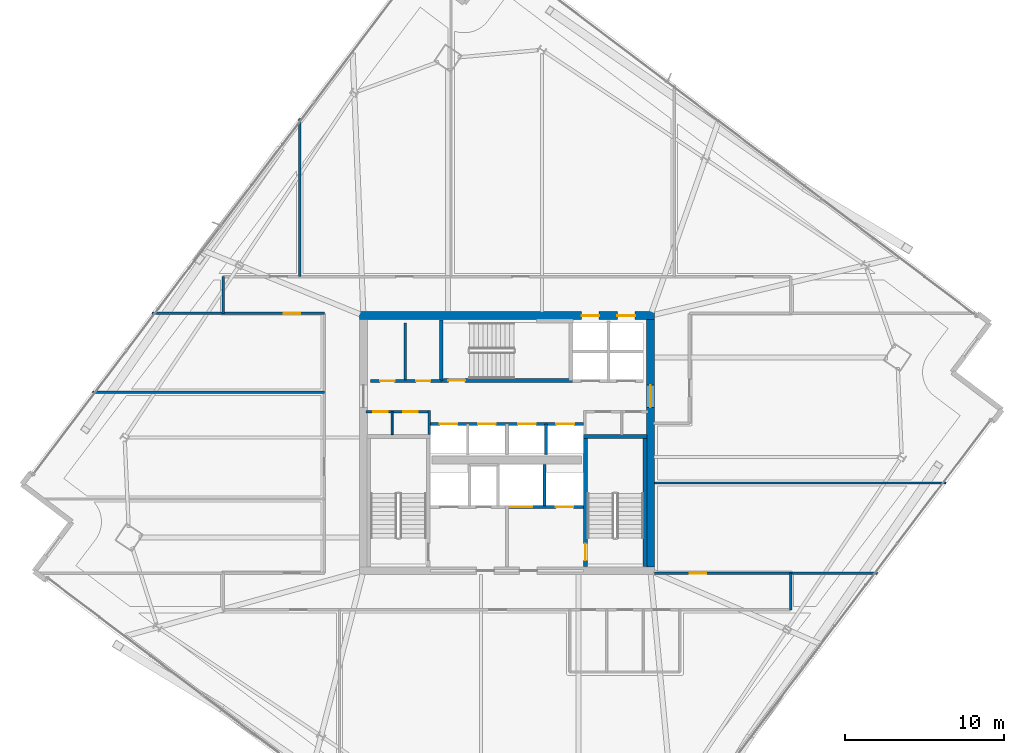
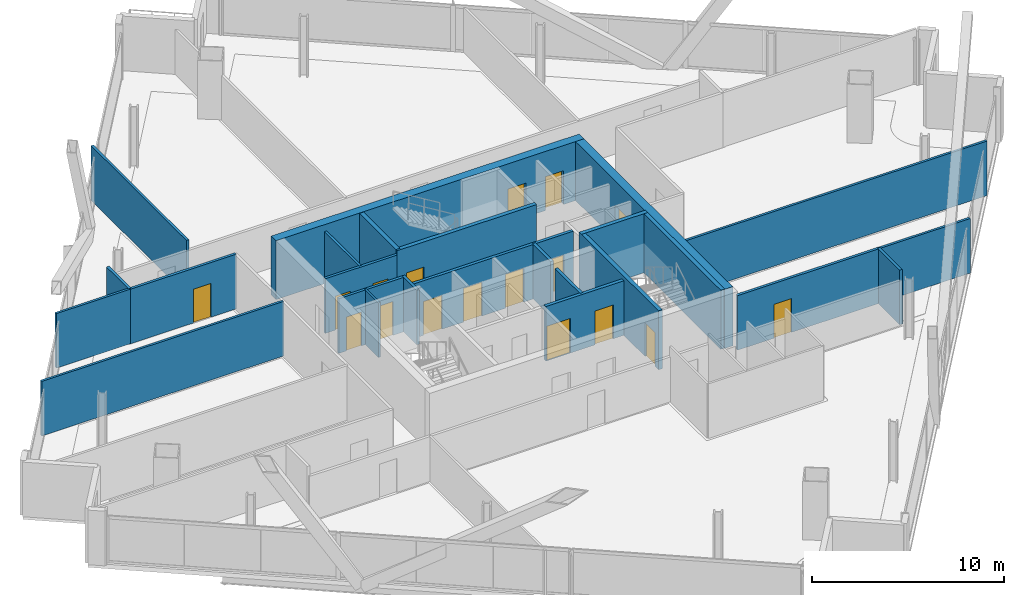
# One storey, part 27 of 34: 25 walls, 17 doors, 17 openings.
"""IFC4 building model written with IfcOpenShell, lengths in metres."""

from ifc_helpers import new_model, si_unit, direction, frame, frame_2d, origin, place, context, subcontext, project, spatial, rectangle, extrude, material, layer, layer_set, type_object, element, fill, save


model = new_model("IFC4")

# Units and contexts
model_context = context("Model", 3, precision=1e-05, world=origin(), true_north=direction((0.0, 1.0)))
body_context = subcontext(model_context, "Body", "Model", "MODEL_VIEW")
ifc_project = project(units=[si_unit("LENGTHUNIT", "METRE"), si_unit("AREAUNIT", "SQUARE_METRE"), si_unit("VOLUMEUNIT", "CUBIC_METRE"), si_unit("PLANEANGLEUNIT", "RADIAN"), si_unit("MASSUNIT", "GRAM", prefix="KILO")], contexts=[model_context])

# Site, building, storey
site_placement = place(None, origin())
site = spatial("IfcSite", under=ifc_project, at=site_placement, CompositionType="ELEMENT")
building_placement = place(site_placement, origin())
building = spatial("IfcBuilding", under=site, at=building_placement, Name="Haldenkirk Collegiate Tower", CompositionType="ELEMENT")
storey_placement = place(building_placement, frame((0.0, 0.0, 205.949951171875)))
storey = spatial("IfcBuildingStorey", under=building, at=storey_placement, Name="L51", CompositionType="ELEMENT", Elevation=205.949951171875)

# Wall, openings, doors
ifc_material_1 = material(Name="Concrete f'c 55 MPa", Category="concrete")
ifc_layer_1 = layer(ifc_material_1, 0.5)
ifc_layer_set_1 = layer_set([ifc_layer_1], Name="Concrete f'c 55 MPa")
wall_type_1 = type_object("IfcWallType", Name="WL-CORE-500", PredefinedType="SHEAR", material=ifc_layer_set_1)
wall_1_placement = place(storey_placement, frame((26.75, 34.0, 0.0), z_axis=(0.0, 0.0, 1.0), x_axis=(1.0, 0.0, 0.0)))
wall_1 = element("IfcWall", 1, at=wall_1_placement, inside=storey, type_object=wall_type_1, Name="L51 central core shear wall N", PredefinedType="SHEAR", context=body_context, shape_type="SweptSolid", body=[
    extrude(rectangle(XDim=18.5, YDim=0.5, at=frame_2d((9.25, 0.0))), origin(), (0.0, 0.0, 1.0), 3.75),
])
opening_1_placement = place(wall_1_placement, frame((13.93505859375, 0.0, 0.0)))
opening_1 = element("IfcOpeningElement", 2, at=opening_1_placement, cuts=wall_1, Name="Opening LD-11", PredefinedType="OPENING", context=body_context, shape_type="SweptSolid", body=[
    extrude(rectangle(XDim=1.10009765625, YDim=2.14990234375, at=frame_2d((0.550048828125, 1.074951171875))), frame((0.0, 0.260009765625, 0.0), z_axis=(0.0, -1.0, 0.0), x_axis=(1.0, 0.0, 0.0)), (0.0, 0.0, 1.0), 0.52001953125),
])
opening_2_placement = place(wall_1_placement, frame((16.18505859375, 0.0, 0.0)))
opening_2 = element("IfcOpeningElement", 3, at=opening_2_placement, cuts=wall_1, Name="Opening LD-11", PredefinedType="OPENING", context=body_context, shape_type="SweptSolid", body=[
    extrude(rectangle(XDim=1.10009765625, YDim=2.14990234375, at=frame_2d((0.550048828125, 1.074951171875))), frame((0.0, 0.260009765625, 0.0), z_axis=(0.0, -1.0, 0.0), x_axis=(1.0, 0.0, 0.0)), (0.0, 0.0, 1.0), 0.52001953125),
])
ifc_material_2 = material(Name="Brushed architectural stainless steel", Category="steel")
ifc_layer_2 = layer(ifc_material_2, 0.06005859375)
ifc_layer_set_2 = layer_set([ifc_layer_2], Name="Brushed architectural stainless steel")
door_type_1 = type_object("IfcDoorType", Name="LD-PASS-1100", OperationType="NOTDEFINED", PredefinedType="DOOR", material=ifc_layer_set_2)
door_1_placement = place(opening_1_placement, origin())
door_1 = element("IfcDoor", 4, at=door_1_placement, inside=storey, type_object=door_type_1, Name="L51 Elevator PM3 sliding landing door", OperationType="SLIDING_TO_LEFT", OverallHeight=2.14990234375, OverallWidth=1.10009765625, PredefinedType="DOOR", context=body_context, shape_type="SweptSolid", body=[
    extrude(rectangle(XDim=1.10009765625, YDim=2.14990234375, at=frame_2d((0.550048828125, 1.074951171875))), frame((0.0, 0.02490234375, 0.0), z_axis=(0.0, -1.0, 0.0), x_axis=(1.0, 0.0, 0.0)), (0.0, 0.0, 1.0), 0.050048828125),
])
fill(opening_1, door_1)
door_2_placement = place(opening_2_placement, origin())
door_2 = element("IfcDoor", 5, at=door_2_placement, inside=storey, type_object=door_type_1, Name="L51 Elevator PM4 sliding landing door", OperationType="SLIDING_TO_LEFT", OverallHeight=2.14990234375, OverallWidth=1.10009765625, PredefinedType="DOOR", context=body_context, shape_type="SweptSolid", body=[
    extrude(rectangle(XDim=1.10009765625, YDim=2.14990234375, at=frame_2d((0.550048828125, 1.074951171875))), frame((0.0, 0.02490234375, 0.0), z_axis=(0.0, -1.0, 0.0), x_axis=(1.0, 0.0, 0.0)), (0.0, 0.0, 1.0), 0.050048828125),
])
fill(opening_2, door_2)

# Wall, opening, door
wall_2_placement = place(storey_placement, frame((45.0, 18.25, 0.0), z_axis=(0.0, 0.0, 1.0), x_axis=(0.0, 1.0, 0.0)))
wall_2 = element("IfcWall", 6, at=wall_2_placement, inside=storey, type_object=wall_type_1, Name="L51 central core shear wall E", PredefinedType="SHEAR", context=body_context, shape_type="SweptSolid", body=[
    extrude(rectangle(XDim=15.5, YDim=0.5, at=frame_2d((7.75, 0.0))), origin(), (0.0, 0.0, 1.0), 3.75),
])
opening_3_placement = place(wall_2_placement, frame((9.989990234375, 0.0, 0.0)))
opening_3 = element("IfcOpeningElement", 7, at=opening_3_placement, cuts=wall_2, Name="Opening D-03", PredefinedType="OPENING", context=body_context, shape_type="SweptSolid", body=[
    extrude(rectangle(XDim=1.39990234375, YDim=2.199951171875, at=frame_2d((0.699951171875, 1.10009765625))), frame((0.0, 0.260009765625, 0.0), z_axis=(0.0, -1.0, 0.0), x_axis=(1.0, 0.0, 0.0)), (0.0, 0.0, 1.0), 0.52001953125),
])
ifc_material_3 = material(Name="Galvanized fire-rated hollow steel door", Category="steel")
ifc_layer_3 = layer(ifc_material_3, 0.06005859375)
ifc_layer_set_3 = layer_set([ifc_layer_3], Name="Galvanized fire-rated hollow steel door")
door_type_2 = type_object("IfcDoorType", Name="DR-LOBBY-FD90-1400", OperationType="NOTDEFINED", PredefinedType="DOOR", material=ifc_layer_set_3)
door_3_placement = place(opening_3_placement, origin())
door_3 = element("IfcDoor", 8, at=door_3_placement, inside=storey, type_object=door_type_2, Name="L51 east lift lobby portal", OperationType="DOUBLE_DOOR_SINGLE_SWING", OverallHeight=2.199951171875, OverallWidth=1.39990234375, PredefinedType="DOOR", context=body_context, shape_type="SweptSolid", body=[
    extrude(rectangle(XDim=1.39990234375, YDim=2.199951171875, at=frame_2d((0.699951171875, 1.10009765625))), frame((0.0, 0.02490234375, 0.0), z_axis=(0.0, -1.0, 0.0), x_axis=(1.0, 0.0, 0.0)), (0.0, 0.0, 1.0), 0.050048828125),
])
fill(opening_3, door_3)

# Wall, openings, doors
ifc_material_4 = material(Name="Acoustic fire-rated gypsum partition", Category="concrete")
ifc_layer_4 = layer(ifc_material_4, 0.159912109375)
ifc_layer_set_4 = layer_set([ifc_layer_4], Name="Acoustic fire-rated gypsum partition")
wall_type_2 = type_object("IfcWallType", Name="WL-INT-CORR-160", PredefinedType="PARTITIONING", material=ifc_layer_set_4)
wall_3_placement = place(storey_placement, frame((27.14990234375, 27.97998046875, 0.0), z_axis=(0.0, 0.0, 1.0), x_axis=(1.0, 0.0, 0.0)))
wall_3 = element("IfcWall", 9, at=wall_3_placement, inside=storey, type_object=wall_type_2, Name="L51 interior partition IW-L51-VCSW-N", PredefinedType="PARTITIONING", context=body_context, shape_type="SweptSolid", body=[
    extrude(rectangle(XDim=4.050048828125, YDim=0.159912109375, at=frame_2d((2.02490234375, 0.0))), origin(), (0.0, 0.0, 1.0), 3.469970703125),
])
opening_4_placement = place(wall_3_placement, frame((0.469970703125, 0.0, 0.0)))
opening_4 = element("IfcOpeningElement", 10, at=opening_4_placement, cuts=wall_3, Name="Opening D-11", PredefinedType="OPENING", context=body_context, shape_type="SweptSolid", body=[
    extrude(rectangle(XDim=0.89990234375, YDim=2.14990234375, at=frame_2d((0.449951171875, 1.074951171875))), frame((0.0, 0.08984375, 0.0), z_axis=(0.0, -1.0, 0.0), x_axis=(1.0, 0.0, 0.0)), (0.0, 0.0, 1.0), 0.179931640625),
])
opening_5_placement = place(wall_3_placement, frame((2.360107421875, 0.0, 0.0)))
opening_5 = element("IfcOpeningElement", 11, at=opening_5_placement, cuts=wall_3, Name="Opening D-11", PredefinedType="OPENING", context=body_context, shape_type="SweptSolid", body=[
    extrude(rectangle(XDim=0.89990234375, YDim=2.14990234375, at=frame_2d((0.449951171875, 1.074951171875))), frame((0.0, 0.08984375, 0.0), z_axis=(0.0, -1.0, 0.0), x_axis=(1.0, 0.0, 0.0)), (0.0, 0.0, 1.0), 0.179931640625),
])
ifc_material_5 = material(Name="Solid-core architectural oak fire door", Category="wood")
ifc_layer_5 = layer(ifc_material_5, 0.06005859375)
ifc_layer_set_5 = layer_set([ifc_layer_5], Name="Solid-core architectural oak fire door")
door_type_3 = type_object("IfcDoorType", Name="DR-INT-FD60-900", OperationType="NOTDEFINED", PredefinedType="DOOR", material=ifc_layer_set_5)
door_4_placement = place(opening_4_placement, origin())
door_4 = element("IfcDoor", 12, at=door_4_placement, inside=storey, type_object=door_type_3, Name="L51 core AV closet door", OperationType="SINGLE_SWING_LEFT", OverallHeight=2.14990234375, OverallWidth=0.89990234375, PredefinedType="DOOR", context=body_context, shape_type="SweptSolid", body=[
    extrude(rectangle(XDim=0.89990234375, YDim=2.14990234375, at=frame_2d((0.449951171875, 1.074951171875))), frame((0.0, 0.02490234375, 0.0), z_axis=(0.0, -1.0, 0.0), x_axis=(1.0, 0.0, 0.0)), (0.0, 0.0, 1.0), 0.050048828125),
])
fill(opening_4, door_4)
door_5_placement = place(opening_5_placement, origin())
door_5 = element("IfcDoor", 13, at=door_5_placement, inside=storey, type_object=door_type_3, Name="L51 core supply closet door", OperationType="SINGLE_SWING_RIGHT", OverallHeight=2.14990234375, OverallWidth=0.89990234375, PredefinedType="DOOR", context=body_context, shape_type="SweptSolid", body=[
    extrude(rectangle(XDim=0.89990234375, YDim=2.14990234375, at=frame_2d((0.449951171875, 1.074951171875))), frame((0.0, 0.02490234375, 0.0), z_axis=(0.0, -1.0, 0.0), x_axis=(1.0, 0.0, 0.0)), (0.0, 0.0, 1.0), 0.050048828125),
])
fill(opening_5, door_5)

# Wall
wall_4_placement = place(storey_placement, frame((31.1201171875, 26.5400390625, 0.0), z_axis=(0.0, 0.0, 1.0), x_axis=(0.0, 1.0, 0.0)))
element("IfcWall", 14, at=wall_4_placement, inside=storey, type_object=wall_type_2, Name="L51 interior partition IW-L51-VCSW-E", PredefinedType="PARTITIONING", context=body_context, shape_type="SweptSolid", body=[
    extrude(rectangle(XDim=1.510009765625, YDim=0.159912109375, at=frame_2d((0.7548828125, 0.0))), origin(), (0.0, 0.0, 1.0), 3.469970703125),
])

# Wall, openings, doors
wall_5_placement = place(storey_placement, frame((27.449951171875, 29.89990234375, 0.0), z_axis=(0.0, 0.0, 1.0), x_axis=(1.0, 0.0, 0.0)))
wall_5 = element("IfcWall", 15, at=wall_5_placement, inside=storey, type_object=wall_type_2, Name="L51 interior partition IW-L51-PLS", PredefinedType="PARTITIONING", context=body_context, shape_type="SweptSolid", body=[
    extrude(rectangle(XDim=4.429931640625, YDim=0.159912109375, at=frame_2d((2.21484375, 0.0))), origin(), (0.0, 0.0, 1.0), 3.469970703125),
])
opening_6_placement = place(wall_5_placement, frame((0.60009765625, 0.0, 0.0)))
opening_6 = element("IfcOpeningElement", 16, at=opening_6_placement, cuts=wall_5, Name="Opening D-11", PredefinedType="OPENING", context=body_context, shape_type="SweptSolid", body=[
    extrude(rectangle(XDim=0.89990234375, YDim=2.14990234375, at=frame_2d((0.449951171875, 1.074951171875))), frame((0.0, 0.08984375, 0.0), z_axis=(0.0, -1.0, 0.0), x_axis=(1.0, 0.0, 0.0)), (0.0, 0.0, 1.0), 0.179931640625),
])
opening_7_placement = place(wall_5_placement, frame((2.85009765625, 0.0, 0.0)))
opening_7 = element("IfcOpeningElement", 17, at=opening_7_placement, cuts=wall_5, Name="Opening D-11", PredefinedType="OPENING", context=body_context, shape_type="SweptSolid", body=[
    extrude(rectangle(XDim=0.89990234375, YDim=2.14990234375, at=frame_2d((0.449951171875, 1.074951171875))), frame((0.0, 0.08984375, 0.0), z_axis=(0.0, -1.0, 0.0), x_axis=(1.0, 0.0, 0.0)), (0.0, 0.0, 1.0), 0.179931640625),
])
door_6_placement = place(opening_6_placement, origin())
door_6 = element("IfcDoor", 18, at=door_6_placement, inside=storey, type_object=door_type_3, Name="L51 tea kitchen door", OperationType="SINGLE_SWING_LEFT", OverallHeight=2.14990234375, OverallWidth=0.89990234375, PredefinedType="DOOR", context=body_context, shape_type="SweptSolid", body=[
    extrude(rectangle(XDim=0.89990234375, YDim=2.14990234375, at=frame_2d((0.449951171875, 1.074951171875))), frame((0.0, 0.02490234375, 0.0), z_axis=(0.0, -1.0, 0.0), x_axis=(1.0, 0.0, 0.0)), (0.0, 0.0, 1.0), 0.050048828125),
])
fill(opening_6, door_6)
door_7_placement = place(opening_7_placement, origin())
door_7 = element("IfcDoor", 19, at=door_7_placement, inside=storey, type_object=door_type_3, Name="L51 IT room door", OperationType="SINGLE_SWING_RIGHT", OverallHeight=2.14990234375, OverallWidth=0.89990234375, PredefinedType="DOOR", context=body_context, shape_type="SweptSolid", body=[
    extrude(rectangle(XDim=0.89990234375, YDim=2.14990234375, at=frame_2d((0.449951171875, 1.074951171875))), frame((0.0, 0.02490234375, 0.0), z_axis=(0.0, -1.0, 0.0), x_axis=(1.0, 0.0, 0.0)), (0.0, 0.0, 1.0), 0.050048828125),
])
fill(opening_7, door_7)

# Wall, opening, door
wall_6_placement = place(storey_placement, frame((45.25, 17.85009765625, 0.0), z_axis=(0.0, 0.0, 1.0), x_axis=(1.0, 0.0, 0.0)))
wall_6 = element("IfcWall", 20, at=wall_6_placement, inside=storey, type_object=wall_type_2, Name="L51 interior partition IW-L51-CSE", PredefinedType="PARTITIONING", context=body_context, shape_type="SweptSolid", body=[
    extrude(rectangle(XDim=8.550048828125, YDim=0.159912109375, at=frame_2d((4.27490234375, 0.0))), origin(), (0.0, 0.0, 1.0), 3.469970703125),
])
opening_8_placement = place(wall_6_placement, frame((2.2109375, 0.0, 0.0)))
opening_8 = element("IfcOpeningElement", 21, at=opening_8_placement, cuts=wall_6, Name="Opening D-09", PredefinedType="OPENING", context=body_context, shape_type="SweptSolid", body=[
    extrude(rectangle(XDim=1.050048828125, YDim=2.14990234375, at=frame_2d((0.52490234375, 1.074951171875))), frame((0.0, 0.08984375, 0.0), z_axis=(0.0, -1.0, 0.0), x_axis=(1.0, 0.0, 0.0)), (0.0, 0.0, 1.0), 0.179931640625),
])
ifc_layer_6 = layer(ifc_material_5, 0.06005859375)
ifc_layer_set_6 = layer_set([ifc_layer_6], Name="Solid-core architectural oak fire door")
door_type_4 = type_object("IfcDoorType", Name="DR-INT-FD60-1050", OperationType="NOTDEFINED", PredefinedType="DOOR", material=ifc_layer_set_6)
door_8_placement = place(opening_8_placement, origin())
door_8 = element("IfcDoor", 22, at=door_8_placement, inside=storey, type_object=door_type_4, Name="L51 Optics Research Laboratory 10 door", OperationType="SINGLE_SWING_LEFT", OverallHeight=2.14990234375, OverallWidth=1.050048828125, PredefinedType="DOOR", context=body_context, shape_type="SweptSolid", body=[
    extrude(rectangle(XDim=1.050048828125, YDim=2.14990234375, at=frame_2d((0.52490234375, 1.074951171875))), frame((0.0, 0.02490234375, 0.0), z_axis=(0.0, -1.0, 0.0), x_axis=(1.0, 0.0, 0.0)), (0.0, 0.0, 1.0), 0.050048828125),
])
fill(opening_8, door_8)

wall_7_placement = place(storey_placement, frame((18.199951171875, 34.14990234375, 0.0), z_axis=(0.0, 0.0, 1.0), x_axis=(1.0, 0.0, 0.0)))
wall_7 = element("IfcWall", 23, at=wall_7_placement, inside=storey, type_object=wall_type_2, Name="L51 interior partition IW-L51-CNW", PredefinedType="PARTITIONING", context=body_context, shape_type="SweptSolid", body=[
    extrude(rectangle(XDim=6.35009765625, YDim=0.159912109375, at=frame_2d((3.175048828125, 0.0))), origin(), (0.0, 0.0, 1.0), 3.469970703125),
])
opening_9_placement = place(wall_7_placement, frame((3.79296875, 0.0, 0.0)))
opening_9 = element("IfcOpeningElement", 24, at=opening_9_placement, cuts=wall_7, Name="Opening D-09", PredefinedType="OPENING", context=body_context, shape_type="SweptSolid", body=[
    extrude(rectangle(XDim=1.050048828125, YDim=2.14990234375, at=frame_2d((0.52490234375, 1.074951171875))), frame((0.0, 0.08984375, 0.0), z_axis=(0.0, -1.0, 0.0), x_axis=(1.0, 0.0, 0.0)), (0.0, 0.0, 1.0), 0.179931640625),
])
door_9_placement = place(opening_9_placement, origin())
door_9 = element("IfcDoor", 25, at=door_9_placement, inside=storey, type_object=door_type_4, Name="L51 Wet Science Laboratory 9 door", OperationType="SINGLE_SWING_RIGHT", OverallHeight=2.14990234375, OverallWidth=1.050048828125, PredefinedType="DOOR", context=body_context, shape_type="SweptSolid", body=[
    extrude(rectangle(XDim=1.050048828125, YDim=2.14990234375, at=frame_2d((0.52490234375, 1.074951171875))), frame((0.0, 0.02490234375, 0.0), z_axis=(0.0, -1.0, 0.0), x_axis=(1.0, 0.0, 0.0)), (0.0, 0.0, 1.0), 0.050048828125),
])
fill(opening_9, door_9)

# Walls
for number, where, z_axis, x_axis, name in (
    (26, (53.800048828125, 15.550048828125, 0.0), (0.0, 0.0, 1.0), (0.0, 1.0, 0.0), "L51 interior partition IW-L51-CSR"),
    (27, (18.199951171875, 34.14990234375, 0.0), (0.0, 0.0, 1.0), (0.0, 1.0, 0.0), "L51 interior partition IW-L51-CNL"),
):
    element("IfcWall", number, at=place(storey_placement, frame(where, z_axis=z_axis, x_axis=x_axis)), inside=storey, type_object=wall_type_2, Name=name, PredefinedType="PARTITIONING", context=body_context, shape_type="SweptSolid", body=[
        extrude(rectangle(XDim=2.300048828125, YDim=0.159912109375, at=frame_2d((1.14990234375, 0.0))), origin(), (0.0, 0.0, 1.0), 3.469970703125),
    ])
ifc_layer_7 = layer(ifc_material_4, 0.139892578125)
ifc_layer_set_7 = layer_set([ifc_layer_7], Name="Acoustic fire-rated gypsum partition")
wall_type_3 = type_object("IfcWallType", Name="WL-INT-DIV-140", PredefinedType="PARTITIONING", material=ifc_layer_set_7)
wall_8_placement = place(storey_placement, frame((29.6201171875, 29.949951171875, 0.0), z_axis=(0.0, 0.0, 1.0), x_axis=(0.0, 1.0, 0.0)))
element("IfcWall", 28, at=wall_8_placement, inside=storey, type_object=wall_type_3, Name="L51 interior partition IW-L51-PLDIV", PredefinedType="PARTITIONING", context=body_context, shape_type="SweptSolid", body=[
    extrude(rectangle(XDim=3.60009765625, YDim=0.139892578125, at=frame_2d((1.800048828125, 0.0))), origin(), (0.0, 0.0, 1.0), 3.469970703125),
])
wall_9_placement = place(storey_placement, frame((13.7529296875, 34.14990234375, 0.0), z_axis=(0.0, 0.0, 1.0), x_axis=(1.0, 0.0, 0.0)))
element("IfcWall", 29, at=wall_9_placement, inside=storey, type_object=wall_type_3, Name="L51 interior partition IW-L51-BWN", PredefinedType="PARTITIONING", context=body_context, shape_type="SweptSolid", body=[
    extrude(rectangle(XDim=4.447021484375, YDim=0.139892578125, at=frame_2d((2.2236328125, 0.0))), origin(), (0.0, 0.0, 1.0), 3.469970703125),
])
wall_10_placement = place(storey_placement, frame((53.800048828125, 17.85009765625, 0.0), z_axis=(0.0, 0.0, 1.0), x_axis=(1.0, 0.0, 0.0)))
element("IfcWall", 30, at=wall_10_placement, inside=storey, type_object=wall_type_3, Name="L51 interior partition IW-L51-BES", PredefinedType="PARTITIONING", context=body_context, shape_type="SweptSolid", body=[
    extrude(rectangle(XDim=5.449951171875, YDim=0.139892578125, at=frame_2d((2.72509765625, 0.0))), origin(), (0.0, 0.0, 1.0), 3.469970703125),
])
wall_11_placement = place(storey_placement, frame((23.0, 36.449951171875, 0.0), z_axis=(0.0, 0.0, 1.0), x_axis=(0.0, 1.0, 0.0)))
element("IfcWall", 31, at=wall_11_placement, inside=storey, type_object=wall_type_3, Name="L51 interior partition IW-L51-RN1", PredefinedType="PARTITIONING", context=body_context, shape_type="SweptSolid", body=[
    extrude(rectangle(XDim=9.9267578125, YDim=0.139892578125, at=frame_2d((4.96337890625, 0.0))), origin(), (0.0, 0.0, 1.0), 3.469970703125),
])
wall_12_placement = place(storey_placement, frame((10.00927734375, 29.199951171875, 0.0), z_axis=(0.0, 0.0, 1.0), x_axis=(1.0, 0.0, 0.0)))
element("IfcWall", 32, at=wall_12_placement, inside=storey, type_object=wall_type_3, Name="L51 interior partition IW-L51-RW2", PredefinedType="PARTITIONING", context=body_context, shape_type="SweptSolid", body=[
    extrude(rectangle(XDim=14.540771484375, YDim=0.139892578125, at=frame_2d((7.2705078125, 0.0))), origin(), (0.0, 0.0, 1.0), 3.469970703125),
])
wall_13_placement = place(storey_placement, frame((45.25, 23.5, 0.0), z_axis=(0.0, 0.0, 1.0), x_axis=(1.0, 0.0, 0.0)))
element("IfcWall", 33, at=wall_13_placement, inside=storey, type_object=wall_type_3, Name="L51 interior partition IW-L51-RE1", PredefinedType="PARTITIONING", context=body_context, shape_type="SweptSolid", body=[
    extrude(rectangle(XDim=18.273193359375, YDim=0.139892578125, at=frame_2d((9.13671875, 0.0))), origin(), (0.0, 0.0, 1.0), 3.469970703125),
])
ifc_material_6 = material(Name="Fire-rated gypsum shaftboard assembly", Category="concrete")
ifc_layer_8 = layer(ifc_material_6, 0.179931640625)
ifc_layer_set_8 = layer_set([ifc_layer_8], Name="Fire-rated gypsum shaftboard assembly")
wall_type_4 = type_object("IfcWallType", Name="WL-INT-SHAFT-180", PredefinedType="PARTITIONING", material=ifc_layer_set_8)
wall_14_placement = place(storey_placement, frame((38.35009765625, 22.050048828125, 0.0), z_axis=(0.0, 0.0, 1.0), x_axis=(0.0, 1.0, 0.0)))
element("IfcWall", 34, at=wall_14_placement, inside=storey, type_object=wall_type_4, Name="L51 interior partition IW-L51-GL1E", PredefinedType="PARTITIONING", context=body_context, shape_type="SweptSolid", body=[
    extrude(rectangle(XDim=2.599853515625, YDim=0.179931640625, at=frame_2d((1.2998046875, 0.0))), origin(), (0.0, 0.0, 1.0), 3.469970703125),
])

# Wall, openings, doors
wall_15_placement = place(storey_placement, frame((31.199951171875, 27.199951171875, 0.0), z_axis=(0.0, 0.0, 1.0), x_axis=(1.0, 0.0, 0.0)))
wall_15 = element("IfcWall", 35, at=wall_15_placement, inside=storey, type_object=wall_type_4, Name="L51 interior partition IW-L51-PHN", PredefinedType="PARTITIONING", context=body_context, shape_type="SweptSolid", body=[
    extrude(rectangle(XDim=9.60009765625, YDim=0.179931640625, at=frame_2d((4.800048828125, 0.0))), origin(), (0.0, 0.0, 1.0), 3.469970703125),
])
opening_10_placement = place(wall_15_placement, frame((0.590087890625, 0.0, 0.0)))
opening_10 = element("IfcOpeningElement", 36, at=opening_10_placement, cuts=wall_15, Name="Opening LD-11", PredefinedType="OPENING", context=body_context, shape_type="SweptSolid", body=[
    extrude(rectangle(XDim=1.10009765625, YDim=2.14990234375, at=frame_2d((0.550048828125, 1.074951171875))), frame((0.0, 0.099853515625, 0.0), z_axis=(0.0, -1.0, 0.0), x_axis=(1.0, 0.0, 0.0)), (0.0, 0.0, 1.0), 0.199951171875),
])
opening_11_placement = place(wall_15_placement, frame((2.989990234375, 0.0, 0.0)))
opening_11 = element("IfcOpeningElement", 37, at=opening_11_placement, cuts=wall_15, Name="Opening LD-11", PredefinedType="OPENING", context=body_context, shape_type="SweptSolid", body=[
    extrude(rectangle(XDim=1.10009765625, YDim=2.14990234375, at=frame_2d((0.550048828125, 1.074951171875))), frame((0.0, 0.099853515625, 0.0), z_axis=(0.0, -1.0, 0.0), x_axis=(1.0, 0.0, 0.0)), (0.0, 0.0, 1.0), 0.199951171875),
])
opening_12_placement = place(wall_15_placement, frame((5.510009765625, 0.0, 0.0)))
opening_12 = element("IfcOpeningElement", 38, at=opening_12_placement, cuts=wall_15, Name="Opening LD-11", PredefinedType="OPENING", context=body_context, shape_type="SweptSolid", body=[
    extrude(rectangle(XDim=1.10009765625, YDim=2.14990234375, at=frame_2d((0.550048828125, 1.074951171875))), frame((0.0, 0.099853515625, 0.0), z_axis=(0.0, -1.0, 0.0), x_axis=(1.0, 0.0, 0.0)), (0.0, 0.0, 1.0), 0.199951171875),
])
opening_13_placement = place(wall_15_placement, frame((7.909912109375, 0.0, 0.0)))
opening_13 = element("IfcOpeningElement", 39, at=opening_13_placement, cuts=wall_15, Name="Opening LD-11", PredefinedType="OPENING", context=body_context, shape_type="SweptSolid", body=[
    extrude(rectangle(XDim=1.10009765625, YDim=2.14990234375, at=frame_2d((0.550048828125, 1.074951171875))), frame((0.0, 0.099853515625, 0.0), z_axis=(0.0, -1.0, 0.0), x_axis=(1.0, 0.0, 0.0)), (0.0, 0.0, 1.0), 0.199951171875),
])
door_10_placement = place(opening_10_placement, origin())
door_10 = element("IfcDoor", 40, at=door_10_placement, inside=storey, type_object=door_type_1, Name="L51 Elevator PH1 sliding landing door", OperationType="SLIDING_TO_LEFT", OverallHeight=2.14990234375, OverallWidth=1.10009765625, PredefinedType="DOOR", context=body_context, shape_type="SweptSolid", body=[
    extrude(rectangle(XDim=1.10009765625, YDim=2.14990234375, at=frame_2d((0.550048828125, 1.074951171875))), frame((0.0, 0.02490234375, 0.0), z_axis=(0.0, -1.0, 0.0), x_axis=(1.0, 0.0, 0.0)), (0.0, 0.0, 1.0), 0.050048828125),
])
fill(opening_10, door_10)
door_11_placement = place(opening_11_placement, origin())
door_11 = element("IfcDoor", 41, at=door_11_placement, inside=storey, type_object=door_type_1, Name="L51 Elevator PH2 sliding landing door", OperationType="SLIDING_TO_LEFT", OverallHeight=2.14990234375, OverallWidth=1.10009765625, PredefinedType="DOOR", context=body_context, shape_type="SweptSolid", body=[
    extrude(rectangle(XDim=1.10009765625, YDim=2.14990234375, at=frame_2d((0.550048828125, 1.074951171875))), frame((0.0, 0.02490234375, 0.0), z_axis=(0.0, -1.0, 0.0), x_axis=(1.0, 0.0, 0.0)), (0.0, 0.0, 1.0), 0.050048828125),
])
fill(opening_11, door_11)
door_12_placement = place(opening_12_placement, origin())
door_12 = element("IfcDoor", 42, at=door_12_placement, inside=storey, type_object=door_type_1, Name="L51 Elevator PH3 sliding landing door", OperationType="SLIDING_TO_LEFT", OverallHeight=2.14990234375, OverallWidth=1.10009765625, PredefinedType="DOOR", context=body_context, shape_type="SweptSolid", body=[
    extrude(rectangle(XDim=1.10009765625, YDim=2.14990234375, at=frame_2d((0.550048828125, 1.074951171875))), frame((0.0, 0.02490234375, 0.0), z_axis=(0.0, -1.0, 0.0), x_axis=(1.0, 0.0, 0.0)), (0.0, 0.0, 1.0), 0.050048828125),
])
fill(opening_12, door_12)
door_13_placement = place(opening_13_placement, origin())
door_13 = element("IfcDoor", 43, at=door_13_placement, inside=storey, type_object=door_type_1, Name="L51 Elevator PH4 sliding landing door", OperationType="SLIDING_TO_LEFT", OverallHeight=2.14990234375, OverallWidth=1.10009765625, PredefinedType="DOOR", context=body_context, shape_type="SweptSolid", body=[
    extrude(rectangle(XDim=1.10009765625, YDim=2.14990234375, at=frame_2d((0.550048828125, 1.074951171875))), frame((0.0, 0.02490234375, 0.0), z_axis=(0.0, -1.0, 0.0), x_axis=(1.0, 0.0, 0.0)), (0.0, 0.0, 1.0), 0.050048828125),
])
fill(opening_13, door_13)

# Wall
wall_16_placement = place(storey_placement, frame((38.4599609375, 25.300048828125, 0.0), z_axis=(0.0, 0.0, 1.0), x_axis=(0.0, 1.0, 0.0)))
element("IfcWall", 44, at=wall_16_placement, inside=storey, type_object=wall_type_4, Name="L51 interior partition IW-L51-PHV3", PredefinedType="PARTITIONING", context=body_context, shape_type="SweptSolid", body=[
    extrude(rectangle(XDim=1.89990234375, YDim=0.179931640625, at=frame_2d((0.949951171875, 0.0))), origin(), (0.0, 0.0, 1.0), 3.469970703125),
])

# Wall, openings, doors
ifc_layer_9 = layer(ifc_material_6, 0.199951171875)
ifc_layer_set_9 = layer_set([ifc_layer_9], Name="Fire-rated gypsum shaftboard assembly")
wall_type_5 = type_object("IfcWallType", Name="WL-INT-SHAFT-200", PredefinedType="PARTITIONING", material=ifc_layer_set_9)
wall_17_placement = place(storey_placement, frame((36.1201171875, 22.0, 0.0), z_axis=(0.0, 0.0, 1.0), x_axis=(1.0, 0.0, 0.0)))
wall_17 = element("IfcWall", 45, at=wall_17_placement, inside=storey, type_object=wall_type_5, Name="L51 interior partition IW-L51-FFL2N", PredefinedType="PARTITIONING", context=body_context, shape_type="SweptSolid", body=[
    extrude(rectangle(XDim=4.68994140625, YDim=0.199951171875, at=frame_2d((2.344970703125, 0.0))), origin(), (0.0, 0.0, 1.0), 3.469970703125),
])
opening_14_placement = place(wall_17_placement, frame((2.955078125, 0.0, 0.0)))
opening_14 = element("IfcOpeningElement", 46, at=opening_14_placement, cuts=wall_17, Name="Opening LD-12", PredefinedType="OPENING", context=body_context, shape_type="SweptSolid", body=[
    extrude(rectangle(XDim=1.10009765625, YDim=2.14990234375, at=frame_2d((0.550048828125, 1.074951171875))), frame((0.0, 0.10986328125, 0.0), z_axis=(0.0, -1.0, 0.0), x_axis=(1.0, 0.0, 0.0)), (0.0, 0.0, 1.0), 0.219970703125),
])
opening_15_placement = place(wall_17_placement, frame((0.080078125, 0.0, 0.0)))
opening_15 = element("IfcOpeningElement", 47, at=opening_15_placement, cuts=wall_17, Name="Opening LD-13", PredefinedType="OPENING", context=body_context, shape_type="SweptSolid", body=[
    extrude(rectangle(XDim=1.39990234375, YDim=2.199951171875, at=frame_2d((0.699951171875, 1.10009765625))), frame((0.0, 0.10986328125, 0.0), z_axis=(0.0, -1.0, 0.0), x_axis=(1.0, 0.0, 0.0)), (0.0, 0.0, 1.0), 0.219970703125),
])
ifc_layer_10 = layer(ifc_material_2, 0.06005859375)
ifc_layer_set_10 = layer_set([ifc_layer_10], Name="Brushed architectural stainless steel")
door_type_5 = type_object("IfcDoorType", Name="LD-FIRE-1100", OperationType="NOTDEFINED", PredefinedType="DOOR", material=ifc_layer_set_10)
door_14_placement = place(opening_14_placement, origin())
door_14 = element("IfcDoor", 48, at=door_14_placement, inside=storey, type_object=door_type_5, Name="L51 Elevator FL2 sliding landing door", OperationType="SLIDING_TO_LEFT", OverallHeight=2.14990234375, OverallWidth=1.10009765625, PredefinedType="DOOR", context=body_context, shape_type="SweptSolid", body=[
    extrude(rectangle(XDim=1.10009765625, YDim=2.14990234375, at=frame_2d((0.550048828125, 1.074951171875))), frame((0.0, 0.02490234375, 0.0), z_axis=(0.0, -1.0, 0.0), x_axis=(1.0, 0.0, 0.0)), (0.0, 0.0, 1.0), 0.050048828125),
])
fill(opening_14, door_14)
ifc_layer_11 = layer(ifc_material_2, 0.06005859375)
ifc_layer_set_11 = layer_set([ifc_layer_11], Name="Brushed architectural stainless steel")
door_type_6 = type_object("IfcDoorType", Name="LD-GOODS-1400", OperationType="NOTDEFINED", PredefinedType="DOOR", material=ifc_layer_set_11)
door_15_placement = place(opening_15_placement, origin())
door_15 = element("IfcDoor", 49, at=door_15_placement, inside=storey, type_object=door_type_6, Name="L51 Elevator GL1 sliding landing door", OperationType="SLIDING_TO_LEFT", OverallHeight=2.199951171875, OverallWidth=1.39990234375, PredefinedType="DOOR", context=body_context, shape_type="SweptSolid", body=[
    extrude(rectangle(XDim=1.39990234375, YDim=2.199951171875, at=frame_2d((0.699951171875, 1.10009765625))), frame((0.0, 0.02490234375, 0.0), z_axis=(0.0, -1.0, 0.0), x_axis=(1.0, 0.0, 0.0)), (0.0, 0.0, 1.0), 0.050048828125),
])
fill(opening_15, door_15)

# Wall
ifc_layer_12 = layer(ifc_material_4, 0.1201171875)
ifc_layer_set_12 = layer_set([ifc_layer_12], Name="Acoustic fire-rated gypsum partition")
wall_type_6 = type_object("IfcWallType", Name="WL-INT-WET-120", PredefinedType="PARTITIONING", material=ifc_layer_set_12)
wall_18_placement = place(storey_placement, frame((28.800048828125, 26.5400390625, 0.0), z_axis=(0.0, 0.0, 1.0), x_axis=(0.0, 1.0, 0.0)))
element("IfcWall", 50, at=wall_18_placement, inside=storey, type_object=wall_type_6, Name="L51 interior partition IW-L51-VCSW-M", PredefinedType="PARTITIONING", context=body_context, shape_type="SweptSolid", body=[
    extrude(rectangle(XDim=1.43994140625, YDim=0.1201171875, at=frame_2d((0.719970703125, 0.0))), origin(), (0.0, 0.0, 1.0), 3.469970703125),
])

# Wall, opening, door
ifc_layer_13 = layer(ifc_material_1, 0.239990234375)
ifc_layer_set_13 = layer_set([ifc_layer_13], Name="Concrete f'c 55 MPa")
wall_type_7 = type_object("IfcWallType", Name="WL-SHAFT-240", PredefinedType="SHEAR", material=ifc_layer_set_13)
wall_19_placement = place(storey_placement, frame((40.929931640625, 18.280029296875, 0.0), z_axis=(0.0, 0.0, 1.0), x_axis=(0.0, 1.0, 0.0)))
wall_19 = element("IfcWall", 51, at=wall_19_placement, inside=storey, type_object=wall_type_7, Name="L51 stair shaft shear wall SW-L51-ST2W", PredefinedType="SHEAR", context=body_context, shape_type="SweptSolid", body=[
    extrude(rectangle(XDim=8.260009765625, YDim=0.239990234375, at=frame_2d((4.1298828125, 0.0))), origin(), (0.0, 0.0, 1.0), 3.75),
])
opening_16_placement = place(wall_19_placement, frame((0.364990234375, 0.0, 0.0)))
opening_16 = element("IfcOpeningElement", 52, at=opening_16_placement, cuts=wall_19, Name="Opening D-01", PredefinedType="OPENING", context=body_context, shape_type="SweptSolid", body=[
    extrude(rectangle(XDim=1.050048828125, YDim=2.14990234375, at=frame_2d((0.52490234375, 1.074951171875))), frame((0.0, 0.1298828125, 0.0), z_axis=(0.0, -1.0, 0.0), x_axis=(1.0, 0.0, 0.0)), (0.0, 0.0, 1.0), 0.260009765625),
])
ifc_layer_14 = layer(ifc_material_3, 0.06005859375)
ifc_layer_set_14 = layer_set([ifc_layer_14], Name="Galvanized fire-rated hollow steel door")
door_type_7 = type_object("IfcDoorType", Name="DR-STAIR-FD90-1050", OperationType="NOTDEFINED", PredefinedType="DOOR", material=ifc_layer_set_14)
door_16_placement = place(opening_16_placement, origin())
door_16 = element("IfcDoor", 53, at=door_16_placement, inside=storey, type_object=door_type_7, Name="L51 Stair 2 door", OperationType="SINGLE_SWING_RIGHT", OverallHeight=2.14990234375, OverallWidth=1.050048828125, PredefinedType="DOOR", context=body_context, shape_type="SweptSolid", body=[
    extrude(rectangle(XDim=1.050048828125, YDim=2.14990234375, at=frame_2d((0.52490234375, 1.074951171875))), frame((0.0, 0.02490234375, 0.0), z_axis=(0.0, -1.0, 0.0), x_axis=(1.0, 0.0, 0.0)), (0.0, 0.0, 1.0), 0.050048828125),
])
fill(opening_16, door_16)

# Walls
wall_20_placement = place(storey_placement, frame((40.81005859375, 26.419921875, 0.0), z_axis=(0.0, 0.0, 1.0), x_axis=(1.0, 0.0, 0.0)))
element("IfcWall", 54, at=wall_20_placement, inside=storey, type_object=wall_type_7, Name="L51 stair shaft shear wall SW-L51-ST2N", PredefinedType="SHEAR", context=body_context, shape_type="SweptSolid", body=[
    extrude(rectangle(XDim=3.97998046875, YDim=0.239990234375, at=frame_2d((1.989990234375, 0.0))), origin(), (0.0, 0.0, 1.0), 3.75),
])
wall_21_placement = place(storey_placement, frame((44.669921875, 18.280029296875, 0.0), z_axis=(0.0, 0.0, 1.0), x_axis=(0.0, 1.0, 0.0)))
element("IfcWall", 55, at=wall_21_placement, inside=storey, type_object=wall_type_7, Name="L51 stair shaft shear wall SW-L51-ST2E", PredefinedType="SHEAR", context=body_context, shape_type="SweptSolid", body=[
    extrude(rectangle(XDim=8.260009765625, YDim=0.239990234375, at=frame_2d((4.1298828125, 0.0))), origin(), (0.0, 0.0, 1.0), 3.75),
])

# Wall, opening, door
wall_22_placement = place(storey_placement, frame((31.760009765625, 29.929931640625, 0.0), z_axis=(0.0, 0.0, 1.0), x_axis=(1.0, 0.0, 0.0)))
wall_22 = element("IfcWall", 56, at=wall_22_placement, inside=storey, type_object=wall_type_7, Name="L51 stair shaft shear wall SW-L51-ST3S", PredefinedType="SHEAR", context=body_context, shape_type="SweptSolid", body=[
    extrude(rectangle(XDim=8.3798828125, YDim=0.239990234375, at=frame_2d((4.18994140625, 0.0))), origin(), (0.0, 0.0, 1.0), 3.75),
])
opening_17_placement = place(wall_22_placement, frame((0.56494140625, 0.0, 0.0)))
opening_17 = element("IfcOpeningElement", 57, at=opening_17_placement, cuts=wall_22, Name="Opening D-01", PredefinedType="OPENING", context=body_context, shape_type="SweptSolid", body=[
    extrude(rectangle(XDim=1.050048828125, YDim=2.14990234375, at=frame_2d((0.52490234375, 1.074951171875))), frame((0.0, 0.1298828125, 0.0), z_axis=(0.0, -1.0, 0.0), x_axis=(1.0, 0.0, 0.0)), (0.0, 0.0, 1.0), 0.260009765625),
])
door_17_placement = place(opening_17_placement, origin())
door_17 = element("IfcDoor", 58, at=door_17_placement, inside=storey, type_object=door_type_7, Name="L51 lift lobby Stair 3 door", OperationType="SINGLE_SWING_LEFT", OverallHeight=2.14990234375, OverallWidth=1.050048828125, PredefinedType="DOOR", context=body_context, shape_type="SweptSolid", body=[
    extrude(rectangle(XDim=1.050048828125, YDim=2.14990234375, at=frame_2d((0.52490234375, 1.074951171875))), frame((0.0, 0.02490234375, 0.0), z_axis=(0.0, -1.0, 0.0), x_axis=(1.0, 0.0, 0.0)), (0.0, 0.0, 1.0), 0.050048828125),
])
fill(opening_17, door_17)

# Wall
wall_23_placement = place(storey_placement, frame((31.8798828125, 29.929931640625, 0.0), z_axis=(0.0, 0.0, 1.0), x_axis=(0.0, 1.0, 0.0)))
element("IfcWall", 59, at=wall_23_placement, inside=storey, type_object=wall_type_7, Name="L51 stair shaft shear wall SW-L51-ST3W", PredefinedType="SHEAR", context=body_context, shape_type="SweptSolid", body=[
    extrude(rectangle(XDim=3.7900390625, YDim=0.239990234375, at=frame_2d((1.89501953125, 0.0))), origin(), (0.0, 0.0, 1.0), 3.75),
])

save(model, "model.ifc")
